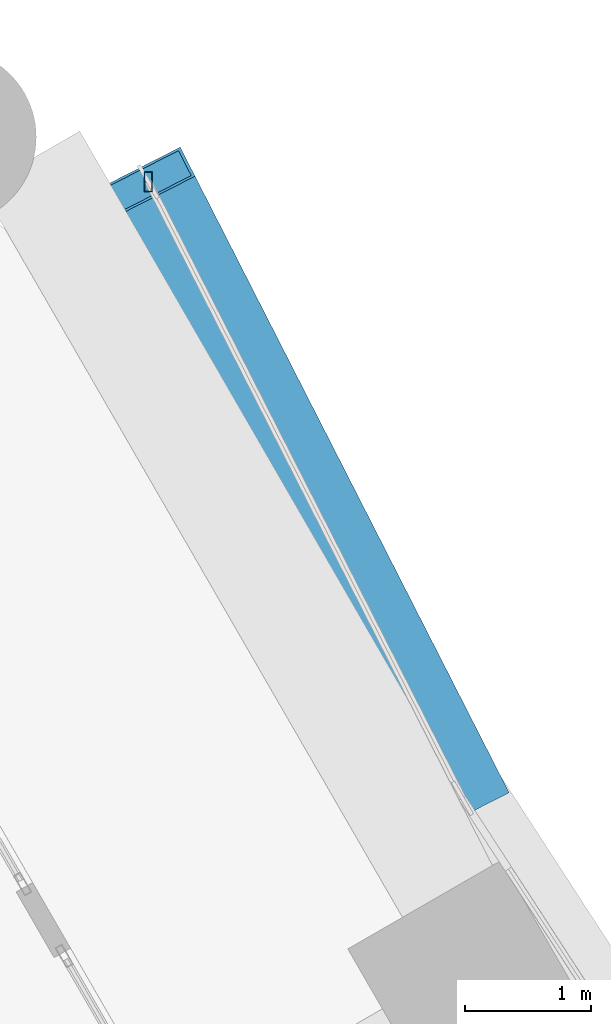
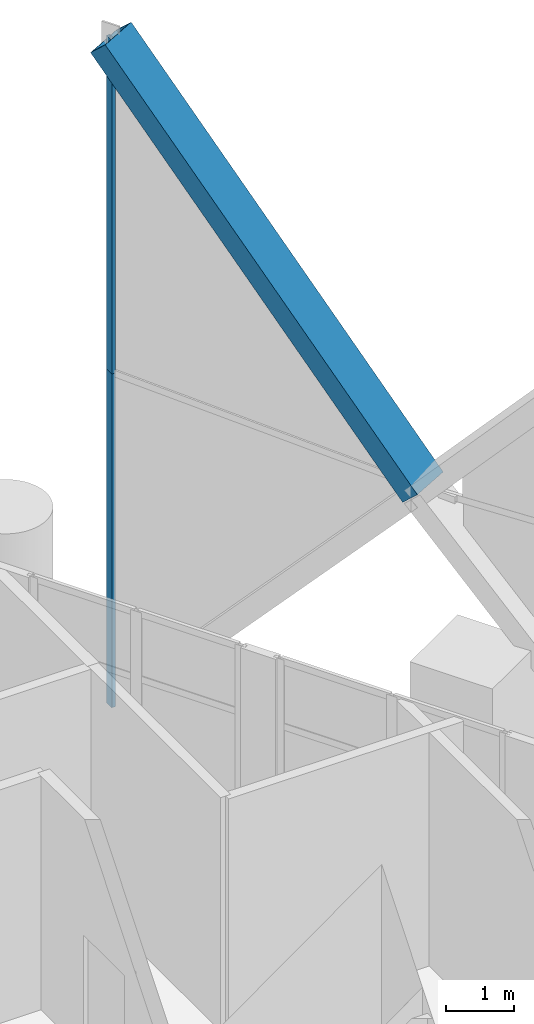
# One storey, part 33 of 46: 3 members, 1 element without a shape of its own.
"""IFC4 building model written with IfcOpenShell, lengths in metres."""

import ifcopenshell
import ifcopenshell.guid

model = None  # the IFC model being written
_history = None  # IfcOwnerHistory: only IFC2X3 demands one
_inside = {}  # id of a spatial element -> (the spatial element, [elements in it])
_under = {}  # id of a project, library or spatial element -> (it, [spatial elements below it])
_declared = {}  # id of a project -> (the project, [libraries it declares])
_typed = {}  # id of a type object -> (the type object, [elements of that type])
_made_of = {}  # id of a material, layer set ... -> (it, [elements and type objects made of it])


def new_model(schema):
    """Start an empty IFC model of exactly this schema.

    Asked for "IFC4X3", IfcOpenShell would pick the latest addendum, in which some entities
    have other attributes; the version numbers below select the first issue.
    IFC2X3 requires an IfcOwnerHistory on every rooted entity: one is made here for all.
    """
    global model, _history
    if schema == "IFC4X3":
        model = ifcopenshell.file(schema_version=(4, 3, 0, 0))
    else:
        model = ifcopenshell.file(schema=schema)
    _inside.clear()
    _under.clear()
    _declared.clear()
    _typed.clear()
    _made_of.clear()
    _history = None
    if model.schema == "IFC2X3":
        org = make("IfcOrganization", Name="unknown")
        user = make(
            "IfcPersonAndOrganization",
            ThePerson=make("IfcPerson", FamilyName="unknown"),
            TheOrganization=org,
        )
        app = make(
            "IfcApplication",
            ApplicationDeveloper=org,
            Version="unknown",
            ApplicationFullName="unknown",
            ApplicationIdentifier="unknown",
        )
        _history = make(
            "IfcOwnerHistory",
            OwningUser=user,
            OwningApplication=app,
            ChangeAction="ADDED",
            CreationDate=0,
        )
    return model


def make(cls, **values):
    """One entity of the class cls with the attributes given. An attribute that is None is left unset."""
    return model.create_entity(
        cls, **{name: value for name, value in values.items() if value is not None}
    )


def rooted(cls, **values):
    """An entity with a GlobalId (a new one), such as an element, a storey or a relation."""
    return make(cls, GlobalId=ifcopenshell.guid.new(), OwnerHistory=_history, **values)


def si_unit(unit_type, name, prefix=None):
    """IfcSIUnit, for example si_unit("LENGTHUNIT", "METRE", prefix="MILLI")."""
    return make("IfcSIUnit", UnitType=unit_type, Prefix=prefix, Name=name)


def assignment(units):
    """IfcUnitAssignment: the units of a project."""
    return None if units is None else make("IfcUnitAssignment", Units=units)


def point(xyz):
    """IfcCartesianPoint."""
    return None if xyz is None else make("IfcCartesianPoint", Coordinates=xyz)


def direction(xyz):
    """IfcDirection."""
    return None if xyz is None else make("IfcDirection", DirectionRatios=xyz)


def frame(location, z_axis=None, x_axis=None):
    """IfcAxis2Placement3D, a coordinate frame: its origin and axes. An axis left out is left unset."""
    return make(
        "IfcAxis2Placement3D",
        Location=point(location),
        Axis=direction(z_axis),
        RefDirection=direction(x_axis),
    )


def frame_2d(location, x_axis=None):
    """IfcAxis2Placement2D, a coordinate frame in the plane: its origin and x axis."""
    return make(
        "IfcAxis2Placement2D", Location=point(location), RefDirection=direction(x_axis)
    )


def origin():
    """The frame at (0, 0, 0) with its axes left unset."""
    return frame((0.0, 0.0, 0.0))


def origin_2d():
    """The frame at (0, 0) in the plane with its x axis left unset."""
    return frame_2d((0.0, 0.0))


def place(relative_to, where):
    """IfcLocalPlacement: puts the frame where relative to a parent placement (None: the world)."""
    return make(
        "IfcLocalPlacement", PlacementRelTo=relative_to, RelativePlacement=where
    )


def context(
    kind, dimensions, precision=None, world=None, true_north=None, identifier=None
):
    """IfcGeometricRepresentationContext, for example the 3D "Model" context."""
    return make(
        "IfcGeometricRepresentationContext",
        ContextIdentifier=identifier,
        ContextType=kind,
        CoordinateSpaceDimension=dimensions,
        Precision=precision,
        WorldCoordinateSystem=world,
        TrueNorth=true_north,
    )


def subcontext(parent, identifier, kind, view, scale=None):
    """IfcGeometricRepresentationSubContext, for example "Body" below "Model"."""
    return make(
        "IfcGeometricRepresentationSubContext",
        ContextIdentifier=identifier,
        ContextType=kind,
        ParentContext=parent,
        TargetScale=scale,
        TargetView=view,
    )


def project(units=None, contexts=None):
    """IfcProject with its units and contexts."""
    return rooted(
        "IfcProject",
        Name="project",
        RepresentationContexts=contexts,
        UnitsInContext=assignment(units),
    )


def spatial(cls, under=None, at=None, **own):
    """A site, building, storey or space (cls), placed at a placement, below another one or the project."""
    s = rooted(cls, ObjectPlacement=at, **own)
    if under is not None:
        _under.setdefault(under.id(), (under, []))[1].append(s)
    return s


def profile(cls, at=None, kind="AREA", **sizes):
    """A parametric profile (cls). Its sizes go by their IFC names, for example OverallWidth=200.0."""
    return make(cls, ProfileType=kind, Position=at, **sizes)


def hollow_rectangle(**sizes):
    """IfcRectangleHollowProfileDef."""
    return profile("IfcRectangleHollowProfileDef", **sizes)


def extrude(swept, where, along, depth):
    """IfcExtrudedAreaSolid: the profile swept, set in the frame where, extruded along a direction by depth."""
    return make(
        "IfcExtrudedAreaSolid",
        SweptArea=swept,
        Position=where,
        ExtrudedDirection=direction(along),
        Depth=depth,
    )


def shape(context_of_items, identifier, shape_type, items):
    """IfcShapeRepresentation: the items that make up one representation, for example the "Body"."""
    return make(
        "IfcShapeRepresentation",
        ContextOfItems=context_of_items,
        RepresentationIdentifier=identifier,
        RepresentationType=shape_type,
        Items=items,
    )


def material(Name=None, Category=None):
    """IfcMaterial."""
    return make("IfcMaterial", Name=Name, Category=Category)


def material_profile(
    of_material, cross_section, Name=None, Category=None, Priority=None
):
    """IfcMaterialProfile: a cross section and its material."""
    return make(
        "IfcMaterialProfile",
        Name=Name,
        Material=of_material,
        Profile=cross_section,
        Priority=Priority,
        Category=Category,
    )


def profile_set(profiles, Name=None, composite=None):
    """IfcMaterialProfileSet."""
    return make(
        "IfcMaterialProfileSet",
        Name=Name,
        MaterialProfiles=profiles,
        CompositeProfile=composite,
    )


def made_of(thing, what):
    """Note that an element or type object is made of a material, layer set ...; save() writes the relation."""
    if what is not None:
        _made_of.setdefault(what.id(), (what, []))[1].append(thing)
    return thing


def type_object(cls, material=None, **own):
    """A type object (cls), such as IfcWallType, which elements share."""
    return made_of(rooted(cls, **own), material)


def element(
    cls,
    number,
    at=None,
    inside=None,
    cuts=None,
    type_object=None,
    material=None,
    context=None,
    identifier="Body",
    shape_type=None,
    held_by="IfcProductDefinitionShape",
    body=None,
    shapes=None,
    **own,
):
    """One element of the class cls, such as IfcWall. Its Tag is "e" and its number.

    at: its placement. inside: the storey or other place that contains it. cuts: it is an
    opening in that element (IfcRelVoidsElement). A single representation is given by context,
    identifier, shape_type and body (its items); several are given by shapes. held_by: the class
    of the entity that holds the representations. save() writes the other relations.
    """
    e = rooted(cls, Tag="e%d" % number, ObjectPlacement=at, **own)
    if body is not None:
        shapes = [shape(context, identifier, shape_type, body)]
    if shapes is not None:
        e.Representation = make(held_by, Representations=shapes)
    if inside is not None:
        _inside.setdefault(inside.id(), (inside, []))[1].append(e)
    if cuts is not None:
        rooted(
            "IfcRelVoidsElement", RelatingBuildingElement=cuts, RelatedOpeningElement=e
        )
    if type_object is not None:
        _typed.setdefault(type_object.id(), (type_object, []))[1].append(e)
    return made_of(e, material)


def aggregate(whole, parts):
    """IfcRelAggregates: a whole, such as a stair, and the parts it consists of."""
    return rooted("IfcRelAggregates", RelatingObject=whole, RelatedObjects=parts)


def save(model, path):
    """Write the relations noted so far, then the file.

    IfcRelAggregates (storeys below a building ...), IfcRelContainedInSpatialStructure (elements
    in a storey), IfcRelDefinesByType, IfcRelAssociatesMaterial and IfcRelDeclares: one each for
    every whole, place, type object, material and project.
    """
    for whole, parts in _under.values():
        aggregate(whole, parts)
    for where, things in _inside.values():
        rooted(
            "IfcRelContainedInSpatialStructure",
            RelatedElements=things,
            RelatingStructure=where,
        )
    for kind, things in _typed.values():
        rooted("IfcRelDefinesByType", RelatedObjects=things, RelatingType=kind)
    for what, things in _made_of.values():
        rooted("IfcRelAssociatesMaterial", RelatedObjects=things, RelatingMaterial=what)
    for by, libraries in _declared.values():
        rooted("IfcRelDeclares", RelatingContext=by, RelatedDefinitions=libraries)
    model.write(path)


model = new_model("IFC4")

# Units and contexts
model_context = context("Model", 3, precision=1e-05, world=origin(), true_north=direction((0.0, 1.0)))
body_context = subcontext(model_context, "Body", "Model", "MODEL_VIEW")
ifc_project = project(units=[si_unit("LENGTHUNIT", "METRE"), si_unit("AREAUNIT", "SQUARE_METRE"), si_unit("VOLUMEUNIT", "CUBIC_METRE"), si_unit("PLANEANGLEUNIT", "RADIAN"), si_unit("MASSUNIT", "GRAM", prefix="KILO")], contexts=[model_context])

# Site, building, storey
site_placement = place(None, origin())
site = spatial("IfcSite", under=ifc_project, at=site_placement, CompositionType="ELEMENT")
building_placement = place(site_placement, origin())
building = spatial("IfcBuilding", under=site, at=building_placement, Name="Ostrander Bayou Hotel Tower", CompositionType="ELEMENT")
storey_placement = place(building_placement, frame((0.0, 0.0, 23.5)))
storey = spatial("IfcBuildingStorey", under=building, at=storey_placement, Name="L05", CompositionType="ELEMENT", Elevation=23.5)

# Curtain wall, members
ifc_material_1 = material(Name="Aluminium and clear glass", Category="aluminium")
curtain_wall_type = type_object("IfcCurtainWallType", Name="CW-LAT lattice glazing", PredefinedType="NOTDEFINED", material=ifc_material_1)
curtain_wall_placement = place(storey_placement, origin())
curtain_wall = element("IfcCurtainWall", 1, at=curtain_wall_placement, inside=storey, type_object=curtain_wall_type, Name="CW-LAT L05 NE 1", PredefinedType="NOTDEFINED")
ifc_material_2 = material(Name="Aluminium", Category="aluminium")
ifc_material_profile_1 = material_profile(ifc_material_2, hollow_rectangle(XDim=0.06005859375, YDim=0.159912109375, WallThickness=0.00390625, at=origin_2d()))
ifc_profile_set_1 = profile_set([ifc_material_profile_1], Name="Aluminium")
member_type_1 = type_object("IfcMemberType", Name="CW-LA mullion 60 x 160 mm", PredefinedType="MULLION", material=ifc_profile_set_1)
member_1_placement = place(storey_placement, frame((13.637939453125, 20.5185546875, -0.60009765625), z_axis=(0.0, 0.0, 1.0), x_axis=(1.0, 0.0, 0.0)))
member_1 = element("IfcMember", 2, at=member_1_placement, type_object=member_type_1, Name="CW-LAT mullion 8", PredefinedType="MULLION", context=body_context, shape_type="SweptSolid", body=[
    extrude(hollow_rectangle(XDim=0.06005859375, YDim=0.159912109375, WallThickness=0.00390625, at=origin_2d()), origin(), (0.0, 0.0, 1.0), 6.0),
])
member_2_placement = place(storey_placement, frame((13.637939453125, 20.5185546875, 5.39990234375), z_axis=(0.0, 0.0, 1.0), x_axis=(1.0, 0.0, 0.0)))
member_2 = element("IfcMember", 3, at=member_2_placement, type_object=member_type_1, Name="CW-LAT mullion 9", PredefinedType="MULLION", context=body_context, shape_type="SweptSolid", body=[
    extrude(hollow_rectangle(XDim=0.06005859375, YDim=0.159912109375, WallThickness=0.00390625, at=origin_2d()), origin(), (0.0, 0.0, 1.0), 6.0),
])
aggregate(curtain_wall, [member_1, member_2])

# Member
ifc_material_3 = material(Name="Steel ASTM A572 Gr 50", Category="steel")
ifc_material_profile_2 = material_profile(ifc_material_3, hollow_rectangle(XDim=0.699951171875, YDim=0.35009765625, WallThickness=0.02490234375, at=origin_2d()))
ifc_profile_set_2 = profile_set([ifc_material_profile_2], Name="Steel ASTM A572 Gr 50")
member_type_2 = type_object("IfcMemberType", Name="LT1 lattice member box 700 x 350 x 25 mm", PredefinedType="BRACE", material=ifc_profile_set_2)
member_3_placement = place(storey_placement, frame((16.126953125, 15.63330078125, 5.39990234375), z_axis=(-0.306235162835, 0.60105596943, 0.738208471), x_axis=(-0.891017407703, -0.453969139007, 0.0)))
element("IfcMember", 4, at=member_3_placement, inside=storey, type_object=member_type_2, Name="LT1 L05 NE 8", PredefinedType="BRACE", context=body_context, shape_type="SweptSolid", body=[
    extrude(hollow_rectangle(XDim=0.699951171875, YDim=0.35009765625, WallThickness=0.02490234375, at=origin_2d()), origin(), (0.0, 0.0, 1.0), 8.127685546875),
])

save(model, "model.ifc")
